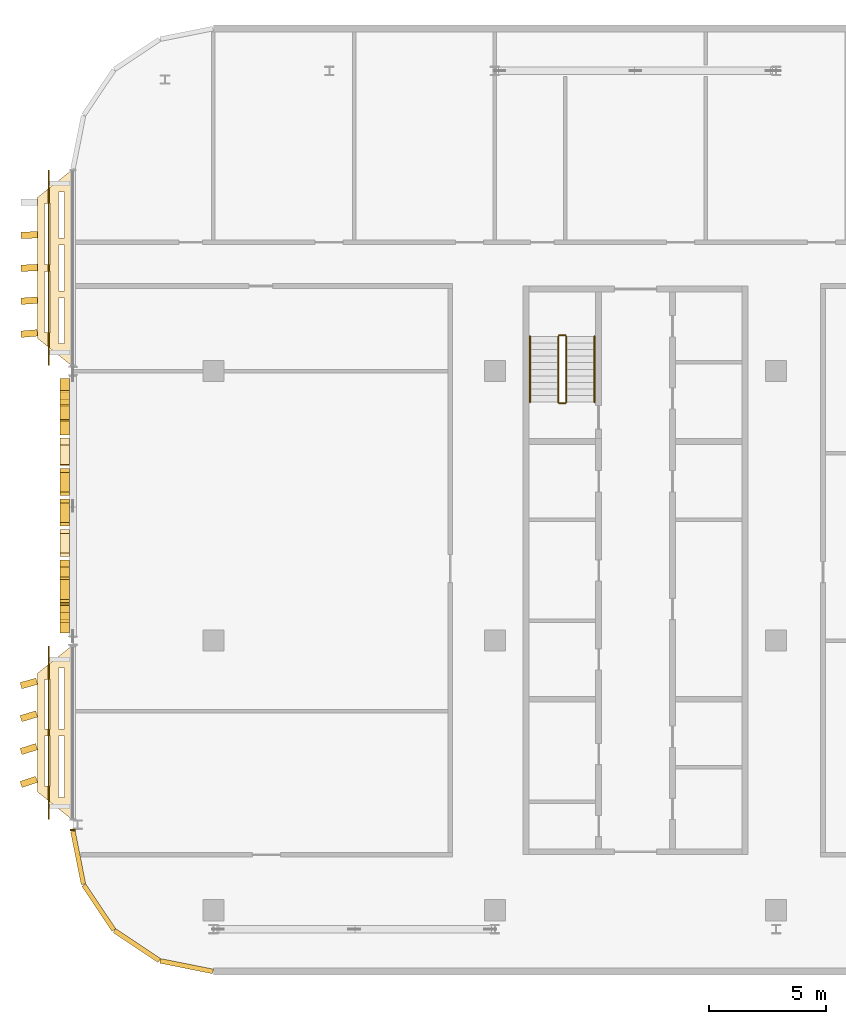
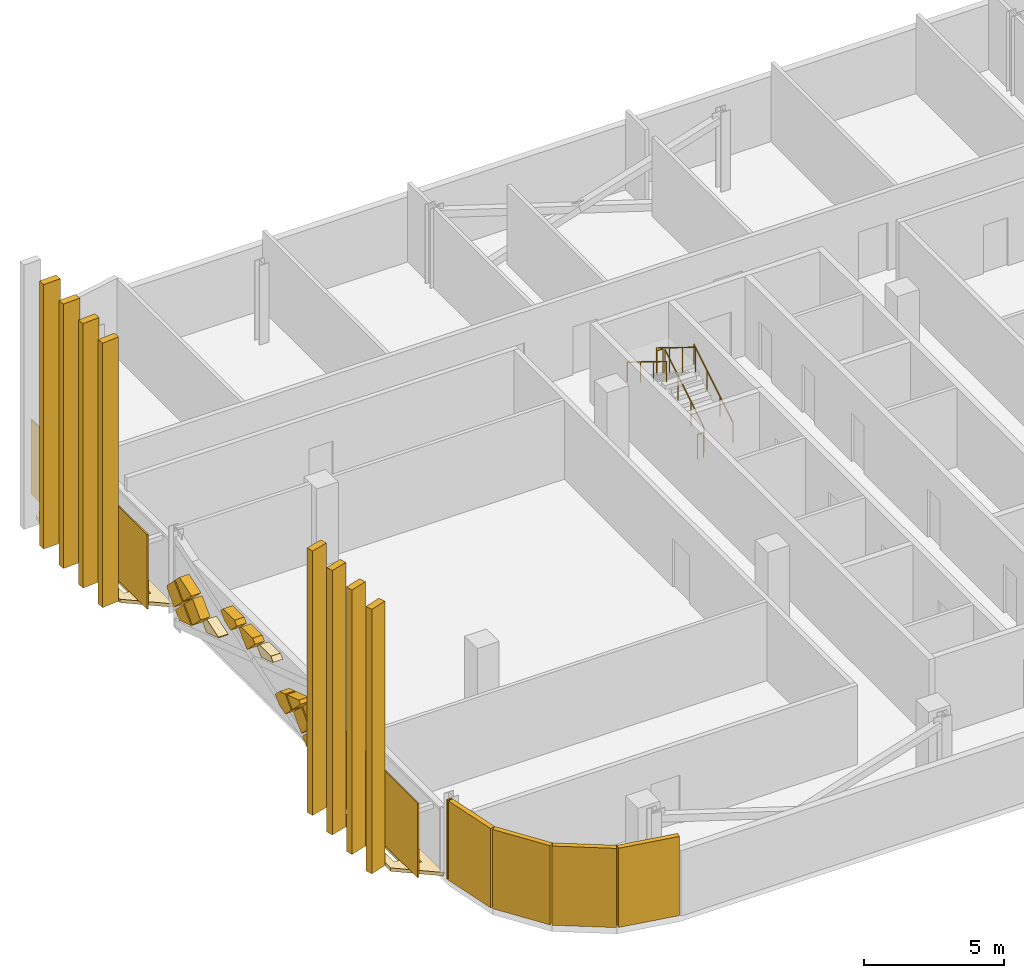
# One storey, part 24 of 30: 30 coverings, 6 railings.
"""IFC4 building model written with IfcOpenShell, lengths in metres."""

from ifc_helpers import new_model, si_unit, direction, frame, origin, origin_2d, place, context, subcontext, project, spatial, polyline, rectangle, circle, outline, extrude, material, layer, layer_set, type_object, element, save


model = new_model("IFC4")

# Units and contexts
model_context = context("Model", 3, precision=1e-05, world=origin(), true_north=direction((0.0, 1.0)))
body_context = subcontext(model_context, "Body", "Model", "MODEL_VIEW")
ifc_project = project(units=[si_unit("LENGTHUNIT", "METRE"), si_unit("AREAUNIT", "SQUARE_METRE"), si_unit("VOLUMEUNIT", "CUBIC_METRE"), si_unit("PLANEANGLEUNIT", "RADIAN"), si_unit("MASSUNIT", "GRAM", prefix="KILO")], contexts=[model_context])

# Site, building, storey
site_placement = place(None, origin())
site = spatial("IfcSite", under=ifc_project, at=site_placement, CompositionType="ELEMENT")
building_placement = place(site_placement, origin())
building = spatial("IfcBuilding", under=site, at=building_placement, Name="Mahtab Terrace Research Tower", CompositionType="ELEMENT")
storey_placement = place(building_placement, frame((0.0, 0.0, 263.300048828125)))
storey = spatial("IfcBuildingStorey", under=building, at=storey_placement, Name="L64", CompositionType="ELEMENT", Elevation=263.300048828125)

# Coverings
ifc_material_1 = material(Name="Black aluminium cladding panel", Category="aluminium")
ifc_layer_1 = layer(ifc_material_1, 0.199951171875)
ifc_layer_set_1 = layer_set([ifc_layer_1], Name="Black metal corner cladding 200")
covering_type_1 = type_object("IfcCoveringType", Name="Black metal corner cladding 200", PredefinedType="CLADDING", material=ifc_layer_set_1)
covering_1_placement = place(storey_placement, frame((-48.0, -8.069091796875, 0.0), z_axis=(0.0, 0.0, 1.0), x_axis=(0.0, -1.0, 0.0)))
element("IfcCovering", 1, at=covering_1_placement, inside=storey, type_object=covering_type_1, Name="Corner cladding L64 11", PredefinedType="CLADDING", context=body_context, shape_type="SweptSolid", body=[
    extrude(rectangle(XDim=0.06591796875, YDim=0.199951171875, at=origin_2d()), origin(), (0.0, 0.0, 1.0), 3.4599609375),
])
for number, where, z_axis, x_axis, name in (
    (2, (-47.771484375, -9.260009765625, 0.0), (0.0, 0.0, 1.0), (0.195212442692, -0.980760981187, 0.0), "Corner cladding L64 12"),
    (3, (-46.89306640625, -11.381591796875, 0.0), (0.0, 0.0, 1.0), (0.555291490808, -0.831655794326, 0.0), "Corner cladding L64 13"),
    (4, (-45.26953125, -13.0048828125, 0.0), (0.0, 0.0, 1.0), (0.831655794326, -0.555291490808, 0.0), "Corner cladding L64 14"),
    (5, (-43.14794921875, -13.883544921875, 0.0), (0.0, 0.0, 1.0), (0.980760981187, -0.195212442692, 0.0), "Corner cladding L64 15"),
):
    element("IfcCovering", number, at=place(storey_placement, frame(where, z_axis=z_axis, x_axis=x_axis)), inside=storey, type_object=covering_type_1, Name=name, PredefinedType="CLADDING", context=body_context, shape_type="SweptSolid", body=[
        extrude(rectangle(XDim=2.30126953125, YDim=0.199951171875, at=origin_2d()), origin(), (0.0, 0.0, 1.0), 3.4599609375),
    ])
ifc_material_2 = material(Name="Black anodised aluminium", Category="aluminium")
ifc_layer_2 = layer(ifc_material_2, 0.14990234375)
ifc_layer_set_2 = layer_set([ifc_layer_2], Name="Horizontal sunshade band")
covering_type_2 = type_object("IfcCoveringType", Name="Horizontal sunshade band", PredefinedType="CLADDING", material=ifc_layer_set_2)
covering_2_placement = place(storey_placement, frame((0.0, 0.0, -0.150146484375)))
element("IfcCovering", 6, at=covering_2_placement, inside=storey, type_object=covering_type_2, Name="Sunshade band L64 8", PredefinedType="CLADDING", context=body_context, shape_type="SweptSolid", body=[
    extrude(outline(polyline([(-48.0, 20.112060546875), (-48.0, 11.68798828125), (-49.5, 12.887939453125), (-49.5, 18.912109375), (-48.0, 20.112060546875)]), holes=[polyline([(-48.35009765625, 19.132080078125), (-48.35009765625, 17.177001953125), (-48.60009765625, 17.177001953125), (-48.60009765625, 19.132080078125), (-48.35009765625, 19.132080078125)]), polyline([(-48.35009765625, 16.876953125), (-48.35009765625, 14.923095703125), (-48.60009765625, 14.923095703125), (-48.60009765625, 16.876953125), (-48.35009765625, 16.876953125)]), polyline([(-48.35009765625, 14.623046875), (-48.35009765625, 12.66796875), (-48.60009765625, 12.66796875), (-48.60009765625, 14.623046875), (-48.35009765625, 14.623046875)]), polyline([(-48.949951171875, 18.652099609375), (-48.949951171875, 16.050048828125), (-49.199951171875, 16.050048828125), (-49.199951171875, 18.652099609375), (-48.949951171875, 18.652099609375)]), polyline([(-48.949951171875, 15.75), (-48.949951171875, 13.14794921875), (-49.199951171875, 13.14794921875), (-49.199951171875, 15.75), (-48.949951171875, 15.75)])]), origin(), (0.0, 0.0, 1.0), 0.150146484375),
])
covering_3_placement = place(storey_placement, frame((0.0, 0.0, -0.150146484375)))
element("IfcCovering", 7, at=covering_3_placement, inside=storey, type_object=covering_type_2, Name="Sunshade band L64 10", PredefinedType="CLADDING", context=body_context, shape_type="SweptSolid", body=[
    extrude(outline(polyline([(-48.0, -0.18798828125), (-48.0, -7.659912109375), (-49.5, -6.4599609375), (-49.5, -1.387939453125), (-48.0, -0.18798828125)]), holes=[polyline([(-48.35009765625, -1.16796875), (-48.35009765625, -3.77392578125), (-48.60009765625, -3.77392578125), (-48.60009765625, -1.16796875), (-48.35009765625, -1.16796875)]), polyline([(-48.35009765625, -4.073974609375), (-48.35009765625, -6.679931640625), (-48.60009765625, -6.679931640625), (-48.60009765625, -4.073974609375), (-48.35009765625, -4.073974609375)]), polyline([(-48.949951171875, -1.64794921875), (-48.949951171875, -3.77392578125), (-49.199951171875, -3.77392578125), (-49.199951171875, -1.64794921875), (-48.949951171875, -1.64794921875)]), polyline([(-48.949951171875, -4.073974609375), (-48.949951171875, -6.199951171875), (-49.199951171875, -6.199951171875), (-49.199951171875, -4.073974609375), (-48.949951171875, -4.073974609375)])]), origin(), (0.0, 0.0, 1.0), 0.150146484375),
])
ifc_material_3 = material(Name="Bronze anodised aluminium", Category="aluminium")
ifc_layer_3 = layer(ifc_material_3, 0.39990234375)
ifc_layer_set_3 = layer_set([ifc_layer_3], Name="Mashrabiya relief panel 400")
covering_type_3 = type_object("IfcCoveringType", Name="Mashrabiya relief panel 400", PredefinedType="CLADDING", material=ifc_layer_set_3)
covering_4_placement = place(storey_placement, frame((-48.14990234375, 10.662109375, 1.829833984375), z_axis=(1.0, 0.0, 0.0), x_axis=(0.0, -0.707255598772, -0.706957932274)))
element("IfcCovering", 8, at=covering_4_placement, inside=storey, type_object=covering_type_3, Name="Mashrabiya lattice cell L64 W9.1", PredefinedType="CLADDING", context=body_context, shape_type="SweptSolid", body=[
    extrude(outline(polyline([(0.0, 0.0), (0.8201817362875763, 0.0), (0.8200090664636573, 0.8203543334390104), (0.0916684182924955, 0.820028397344618), (-0.0001532662704735177, 0.7281680510197277), (0.0, 0.0)])), origin(), (0.0, 0.0, -1.0), 0.39990234375),
])
covering_5_placement = place(storey_placement, frame((-48.14990234375, 10.592041015625, 0.599853515625), z_axis=(1.0, 0.0, 0.0), x_axis=(0.0, -0.707106781187, 0.707106781187)))
element("IfcCovering", 9, at=covering_5_placement, inside=storey, type_object=covering_type_3, Name="Mashrabiya lattice cell L64 W9.2", PredefinedType="CLADDING", context=body_context, shape_type="SweptSolid", body=[
    extrude(outline(polyline([(0.0, 0.0), (0.8203543516109556, 0.0), (0.8203543516109556, 0.8172469487639443), (0.00017263349150062335, 0.40448027058595726), (0.0, 0.0)])), origin(), (0.0, 0.0, -1.0), 0.39990234375),
])
covering_6_placement = place(storey_placement, frame((-48.14990234375, 9.431884765625, 1.89990234375), z_axis=(1.0, 0.0, 0.0), x_axis=(0.0, 0.707255598772, -0.706957932274)))
element("IfcCovering", 10, at=covering_6_placement, inside=storey, type_object=covering_type_3, Name="Mashrabiya lattice cell L64 W9.3", PredefinedType="CLADDING", context=body_context, shape_type="SweptSolid", body=[
    extrude(outline(polyline([(0.0, 0.0), (0.8201817362875763, 0.0), (0.8205270032629295, 0.8201816636150915), (0.40327189988492773, 0.8204421218006662), (0.0, 0.0)])), origin(), (0.0, 0.0, -1.0), 0.39990234375),
])
covering_7_placement = place(storey_placement, frame((-48.14990234375, 9.362060546875, 1.829833984375), z_axis=(1.0, 0.0, 0.0), x_axis=(0.0, -0.707255598772, -0.706957932274)))
element("IfcCovering", 11, at=covering_7_placement, inside=storey, type_object=covering_type_3, Name="Mashrabiya lattice cell L64 W9.4", PredefinedType="CLADDING", context=body_context, shape_type="SweptSolid", body=[
    extrude(outline(polyline([(0.0, 0.0), (0.8201817362875763, 0.0), (0.8200090664636573, 0.8203543334390104), (-0.00017259715143413956, 0.8200090664636573), (0.0, 0.0)])), origin(), (0.0, 0.0, -1.0), 0.39990234375),
])
covering_8_placement = place(storey_placement, frame((-48.14990234375, 8.64208984375, 1.25), z_axis=(1.0, 0.0, 0.0), x_axis=(0.0, -0.707106781187, 0.707106781187)))
element("IfcCovering", 12, at=covering_8_placement, inside=storey, type_object=covering_type_3, Name="Mashrabiya lattice cell L64 W9.5", PredefinedType="CLADDING", context=body_context, shape_type="SweptSolid", body=[
    extrude(outline(polyline([(0.0, 0.0), (0.4243331221085288, 0.0), (0.8203543516109556, 0.7878992552088387), (0.8203543516109556, 0.8203543516109556), (0.0, 0.4101771758054778), (0.0, 0.0)])), origin(), (0.0, 0.0, -1.0), 0.39990234375),
])
covering_9_placement = place(storey_placement, frame((-48.14990234375, 7.342041015625, 2.550048828125), z_axis=(1.0, 0.0, 0.0), x_axis=(0.0, -0.707106781187, 0.707106781187)))
element("IfcCovering", 13, at=covering_9_placement, inside=storey, type_object=covering_type_3, Name="Mashrabiya lattice cell L64 W9.6", PredefinedType="CLADDING", context=body_context, shape_type="SweptSolid", body=[
    extrude(outline(polyline([(0.0, 0.0), (0.2375436843048558, 0.0), (0.820181718119455, 0.5826380338145992), (0.8203543516109556, 0.8203543516109556), (0.19645691332770776, 0.8203543516109556), (-0.00017263349150062335, 0.4314110952600543), (0.0, 0.0)])), origin(), (0.0, 0.0, -1.0), 0.39990234375),
])
covering_10_placement = place(storey_placement, frame((-48.14990234375, 4.882080078125, 2.550048828125), z_axis=(1.0, 0.0, 0.0), x_axis=(0.0, 0.706957932274, -0.707255598772)))
element("IfcCovering", 14, at=covering_10_placement, inside=storey, type_object=covering_type_3, Name="Mashrabiya lattice cell L64 W9.7", PredefinedType="CLADDING", context=body_context, shape_type="SweptSolid", body=[
    extrude(outline(polyline([(0.0, 0.0), (0.8201817362875763, 0.0), (0.8200090664636573, 0.8203543334390104), (0.5824653874207115, 0.8203043347694582), (-4.9998669552298036e-05, 0.2375436790429458), (0.0, 0.0)])), origin(), (0.0, 0.0, -1.0), 0.39990234375),
])
covering_11_placement = place(storey_placement, frame((-48.14990234375, 4.741943359375, 2.550048828125), z_axis=(1.0, 0.0, 0.0), x_axis=(0.0, -0.707106781187, 0.707106781187)))
element("IfcCovering", 15, at=covering_11_placement, inside=storey, type_object=covering_type_3, Name="Mashrabiya lattice cell L64 W9.8", PredefinedType="CLADDING", context=body_context, shape_type="SweptSolid", body=[
    extrude(outline(polyline([(0.0, 0.0), (0.2375436843048558, 0.0), (0.820181718119455, 0.5826380338145992), (0.820181718119455, 0.820181718119455), (0.791869825513353, 0.820181718119455), (-0.00017263349150062335, 0.4213983527530182), (0.0, 0.0)])), origin(), (0.0, 0.0, -1.0), 0.39990234375),
])
covering_12_placement = place(storey_placement, frame((-48.14990234375, 3.44189453125, 1.25), z_axis=(1.0, 0.0, 0.0), x_axis=(0.0, -0.707106781187, 0.707106781187)))
element("IfcCovering", 16, at=covering_12_placement, inside=storey, type_object=covering_type_3, Name="Mashrabiya lattice cell L64 W9.9", PredefinedType="CLADDING", context=body_context, shape_type="SweptSolid", body=[
    extrude(outline(polyline([(0.0, 0.0), (0.4340005976325636, 0.0), (0.8200090846279543, 0.1936947774636978), (0.820181718119455, 0.820181718119455), (0.20767809027524825, 0.8201817181194551), (-0.00017263349150062335, 0.40724240644996723), (0.0, 0.0)])), origin(), (0.0, 0.0, -1.0), 0.39990234375),
])
covering_13_placement = place(storey_placement, frame((-48.14990234375, 1.632080078125, 1.89990234375), z_axis=(1.0, 0.0, 0.0), x_axis=(0.0, 0.707106781187, -0.707106781187)))
element("IfcCovering", 17, at=covering_13_placement, inside=storey, type_object=covering_type_3, Name="Mashrabiya lattice cell L64 W9.10", PredefinedType="CLADDING", context=body_context, shape_type="SweptSolid", body=[
    extrude(outline(polyline([(0.0, 0.0), (0.8200090846279543, 0.0), (0.8200090846279543, 0.5755600606630736), (0.0, 0.16400181692559088), (0.0, 0.0)])), origin(), (0.0, 0.0, -1.0), 0.39990234375),
])
covering_14_placement = place(storey_placement, frame((-48.14990234375, 1.56201171875, 1.829833984375), z_axis=(1.0, 0.0, 0.0), x_axis=(0.0, -0.707255598772, -0.706957932274)))
element("IfcCovering", 18, at=covering_14_placement, inside=storey, type_object=covering_type_3, Name="Mashrabiya lattice cell L64 W9.11", PredefinedType="CLADDING", context=body_context, shape_type="SweptSolid", body=[
    extrude(outline(polyline([(0.0, 0.0), (0.8201817362875763, 0.0), (0.8200090664636573, 0.8203543334390104), (-0.0003452669753531423, 0.8201816636150915), (0.0, 0.0)])), origin(), (0.0, 0.0, -1.0), 0.39990234375),
])
covering_15_placement = place(storey_placement, frame((-48.14990234375, 1.491943359375, 0.599853515625), z_axis=(1.0, 0.0, 0.0), x_axis=(0.0, -0.706957932274, 0.707255598772)))
element("IfcCovering", 19, at=covering_15_placement, inside=storey, type_object=covering_type_3, Name="Mashrabiya lattice cell L64 W9.12", PredefinedType="CLADDING", context=body_context, shape_type="SweptSolid", body=[
    extrude(outline(polyline([(0.0, 0.0), (0.8201817362875763, 0.0), (0.8200090664636573, 0.8203543334390104), (0.21337499076822747, 0.8202266478831917), (8.960517377612498e-05, 0.3944675556771807), (0.0, 0.0)])), origin(), (0.0, 0.0, -1.0), 0.39990234375),
])
covering_16_placement = place(storey_placement, frame((-48.14990234375, 0.33203125, 1.89990234375), z_axis=(1.0, 0.0, 0.0), x_axis=(0.0, 0.707255598772, -0.706957932274)))
element("IfcCovering", 20, at=covering_16_placement, inside=storey, type_object=covering_type_3, Name="Mashrabiya lattice cell L64 W9.13", PredefinedType="CLADDING", context=body_context, shape_type="SweptSolid", body=[
    extrude(outline(polyline([(0.0, 0.0), (0.8201817362875763, 0.0), (0.8203543334390104, 0.8200090664636573), (0.39757495845535884, 0.8202706874089891), (0.00013037443775698598, 0.6194089537834953), (0.0, 0.0)])), origin(), (0.0, 0.0, -1.0), 0.39990234375),
])
ifc_layer_4 = layer(ifc_material_3, 0.050048828125)
ifc_layer_set_4 = layer_set([ifc_layer_4], Name="Sky lounge girih screen panel")
covering_type_4 = type_object("IfcCoveringType", Name="Sky lounge girih screen panel", PredefinedType="CLADDING", material=ifc_layer_set_4)
covering_17_placement = place(storey_placement, frame((-49.02490234375, 15.89990234375, 0.10009765625), z_axis=(0.0, 0.0, 1.0), x_axis=(0.0, -1.0, 0.0)))
element("IfcCovering", 21, at=covering_17_placement, inside=storey, type_object=covering_type_4, Name="Girih screen L64 W9", PredefinedType="CLADDING", context=body_context, shape_type="SweptSolid", body=[
    extrude(rectangle(XDim=8.323974609375, YDim=0.050048828125, at=origin_2d()), origin(), (0.0, 0.0, 1.0), 3.260009765625),
])
covering_18_placement = place(storey_placement, frame((-49.02490234375, -3.924072265625, 0.10009765625), z_axis=(0.0, 0.0, 1.0), x_axis=(0.0, -1.0, 0.0)))
element("IfcCovering", 22, at=covering_18_placement, inside=storey, type_object=covering_type_4, Name="Girih screen L64 W11", PredefinedType="CLADDING", context=body_context, shape_type="SweptSolid", body=[
    extrude(rectangle(XDim=7.3720703125, YDim=0.050048828125, at=origin_2d()), origin(), (0.0, 0.0, 1.0), 3.260009765625),
])

# Railings
ifc_material_4 = material(Name="Stainless steel AISI 304", Category="steel")
railing_type_1 = type_object("IfcRailingType", Name="Stair guard 1100", PredefinedType="GUARDRAIL", material=ifc_material_4)
railing_1_placement = place(storey_placement, frame((-26.949951171875, 10.175048828125, 0.172607421875)))
element("IfcRailing", 23, at=railing_1_placement, inside=storey, type_object=railing_type_1, Name="L64 ST1 stair guard 1", PredefinedType="GUARDRAIL", context=body_context, shape_type="SweptSolid", body=[
    extrude(circle(Radius=0.02392578125, at=origin_2d()), frame((0.0, 0.0, 1.076171875), z_axis=(0.0, 0.851089632645, 0.525020415988), x_axis=(-1.0, 0.0, 0.0)), (0.0, 0.0, 1.0), 3.2900390625),
    extrude(circle(Radius=0.02099609375, at=origin_2d()), origin(), (0.0, 0.0, 1.0), 1.052001953125),
    extrude(circle(Radius=0.02099609375, at=origin_2d()), frame((0.0, 0.933349609375, 0.57568359375)), (0.0, 0.0, 1.0), 1.052001953125),
    extrude(circle(Radius=0.02099609375, at=origin_2d()), frame((0.0, 1.86669921875, 1.151611328125)), (0.0, 0.0, 1.0), 1.052001953125),
    extrude(circle(Radius=0.02099609375, at=origin_2d()), frame((0.0, 2.800048828125, 1.727294921875)), (0.0, 0.0, 1.0), 1.052001953125),
])
railing_2_placement = place(storey_placement, frame((-27.0, 13.02490234375, 1.89990234375)))
element("IfcRailing", 24, at=railing_2_placement, inside=storey, type_object=railing_type_1, Name="L64 ST1 stair guard 2", PredefinedType="GUARDRAIL", context=body_context, shape_type="SweptSolid", body=[
    extrude(circle(Radius=0.02392578125, at=origin_2d()), frame((0.0, 0.0, 1.076171875), z_axis=(-1.0, 0.0, 0.0), x_axis=(0.0, -1.0, 0.0)), (0.0, 0.0, 1.0), 0.25),
    extrude(circle(Radius=0.02099609375, at=origin_2d()), origin(), (0.0, 0.0, 1.0), 1.052001953125),
    extrude(circle(Radius=0.02099609375, at=origin_2d()), frame((-0.25, 0.0, 0.0)), (0.0, 0.0, 1.0), 1.052001953125),
])
railing_3_placement = place(storey_placement, frame((-27.300048828125, 12.97509765625, 2.07275390625)))
element("IfcRailing", 25, at=railing_3_placement, inside=storey, type_object=railing_type_1, Name="L64 ST1 stair guard 3", PredefinedType="GUARDRAIL", context=body_context, shape_type="SweptSolid", body=[
    extrude(circle(Radius=0.02392578125, at=origin_2d()), frame((0.0, 0.0, 1.076171875), z_axis=(0.0, -0.851089632645, 0.525020415988), x_axis=(1.0, 0.0, 0.0)), (0.0, 0.0, 1.0), 3.2900390625),
    extrude(circle(Radius=0.02099609375, at=origin_2d()), origin(), (0.0, 0.0, 1.0), 1.052001953125),
    extrude(circle(Radius=0.02099609375, at=origin_2d()), frame((0.0, -0.933349609375, 0.57568359375)), (0.0, 0.0, 1.0), 1.052001953125),
    extrude(circle(Radius=0.02099609375, at=origin_2d()), frame((0.0, -1.86669921875, 1.151611328125)), (0.0, 0.0, 1.0), 1.052001953125),
    extrude(circle(Radius=0.02099609375, at=origin_2d()), frame((0.0, -2.800048828125, 1.727294921875)), (0.0, 0.0, 1.0), 1.052001953125),
])
railing_4_placement = place(storey_placement, frame((-27.0, 10.125, 0.0)))
element("IfcRailing", 26, at=railing_4_placement, inside=storey, type_object=railing_type_1, Name="L64 ST1 stair guard 4", PredefinedType="GUARDRAIL", context=body_context, shape_type="SweptSolid", body=[
    extrude(circle(Radius=0.02392578125, at=origin_2d()), frame((0.0, 0.0, 1.076171875), z_axis=(-1.0, 0.0, 0.0), x_axis=(0.0, -1.0, 0.0)), (0.0, 0.0, 1.0), 0.25),
    extrude(circle(Radius=0.02099609375, at=origin_2d()), origin(), (0.0, 0.0, 1.0), 1.052001953125),
    extrude(circle(Radius=0.02099609375, at=origin_2d()), frame((-0.25, 0.0, 0.0)), (0.0, 0.0, 1.0), 1.052001953125),
])
railing_type_2 = type_object("IfcRailingType", Name="Stair handrail 900", PredefinedType="HANDRAIL", material=ifc_material_4)
railing_5_placement = place(storey_placement, frame((-25.75, 10.175048828125, 0.172607421875)))
element("IfcRailing", 27, at=railing_5_placement, inside=storey, type_object=railing_type_2, Name="L64 ST1 stair handrail 1", PredefinedType="HANDRAIL", context=body_context, shape_type="SweptSolid", body=[
    extrude(circle(Radius=0.02392578125, at=origin_2d()), frame((0.0, 0.0, 0.8759765625), z_axis=(0.0, 0.851089632645, 0.525020415988), x_axis=(-1.0, 0.0, 0.0)), (0.0, 0.0, 1.0), 3.2900390625),
    extrude(circle(Radius=0.02099609375, at=origin_2d()), origin(), (0.0, 0.0, 1.0), 0.851806640625),
    extrude(circle(Radius=0.02099609375, at=origin_2d()), frame((0.0, 0.933349609375, 0.57568359375)), (0.0, 0.0, 1.0), 0.851806640625),
    extrude(circle(Radius=0.02099609375, at=origin_2d()), frame((0.0, 1.86669921875, 1.151611328125)), (0.0, 0.0, 1.0), 0.851806640625),
    extrude(circle(Radius=0.02099609375, at=origin_2d()), frame((0.0, 2.800048828125, 1.727294921875)), (0.0, 0.0, 1.0), 0.851806640625),
])
railing_6_placement = place(storey_placement, frame((-28.5, 12.97509765625, 2.07275390625)))
element("IfcRailing", 28, at=railing_6_placement, inside=storey, type_object=railing_type_2, Name="L64 ST1 stair handrail 2", PredefinedType="HANDRAIL", context=body_context, shape_type="SweptSolid", body=[
    extrude(circle(Radius=0.02392578125, at=origin_2d()), frame((0.0, 0.0, 0.8759765625), z_axis=(0.0, -0.851089632645, 0.525020415988), x_axis=(1.0, 0.0, 0.0)), (0.0, 0.0, 1.0), 3.2900390625),
    extrude(circle(Radius=0.02099609375, at=origin_2d()), origin(), (0.0, 0.0, 1.0), 0.851806640625),
    extrude(circle(Radius=0.02099609375, at=origin_2d()), frame((0.0, -0.933349609375, 0.57568359375)), (0.0, 0.0, 1.0), 0.851806640625),
    extrude(circle(Radius=0.02099609375, at=origin_2d()), frame((0.0, -1.86669921875, 1.151611328125)), (0.0, 0.0, 1.0), 0.851806640625),
    extrude(circle(Radius=0.02099609375, at=origin_2d()), frame((0.0, -2.800048828125, 1.727294921875)), (0.0, 0.0, 1.0), 0.851806640625),
])

# Coverings
ifc_layer_5 = layer(ifc_material_3, 0.1201171875)
ifc_layer_set_5 = layer_set([ifc_layer_5], Name="Vertical fin 700")
covering_type_5 = type_object("IfcCoveringType", Name="Vertical fin 700", PredefinedType="CLADDING", material=ifc_layer_set_5)
for number, where, z_axis, x_axis, name in (
    (29, (-49.854736328125, 17.300048828125, -0.14990234375), (0.0, 0.0, 1.0), (0.034770950722, -0.999395307667, 0.0), "Fin L64 W2"),
    (30, (-49.85693359375, 15.89990234375, -0.14990234375), (0.0, 0.0, 1.0), (0.052069178263, -0.998643480265, 0.0), "Fin L64 W3"),
    (31, (-49.85888671875, 14.5, -0.14990234375), (0.0, 0.0, 1.0), (0.069351795764, -0.99759226562, 0.0), "Fin L64 W4"),
    (32, (-49.86083984375, 13.10009765625, -0.14990234375), (0.0, 0.0, 1.0), (0.086613622018, -0.996241978879, 0.0), "Fin L64 W5"),
    (33, (-49.874755859375, -1.823974609375, -0.14990234375), (0.0, 0.0, 1.0), (0.26798197266, -0.963423926592, 0.0), "Fin L64 W1"),
    (34, (-49.87548828125, -3.22412109375, -0.14990234375), (0.0, 0.0, 1.0), (0.284622437336, -0.95863969674, 0.0), "Fin L64 W2"),
    (35, (-49.8759765625, -4.6240234375, -0.14990234375), (0.0, 0.0, 1.0), (0.301177573936, -0.953568072535, 0.0), "Fin L64 W3"),
    (36, (-49.87646484375, -6.02392578125, -0.14990234375), (0.0, 0.0, 1.0), (0.31764241933, -0.94821057442, 0.0), "Fin L64 W4"),
):
    element("IfcCovering", number, at=place(storey_placement, frame(where, z_axis=z_axis, x_axis=x_axis)), inside=storey, type_object=covering_type_5, Name=name, PredefinedType="CLADDING", context=body_context, shape_type="SweptSolid", body=[
        extrude(rectangle(XDim=0.280029296875, YDim=0.699951171875, at=origin_2d()), origin(), (0.0, 0.0, 1.0), 11.550048828125),
    ])

save(model, "model.ifc")
